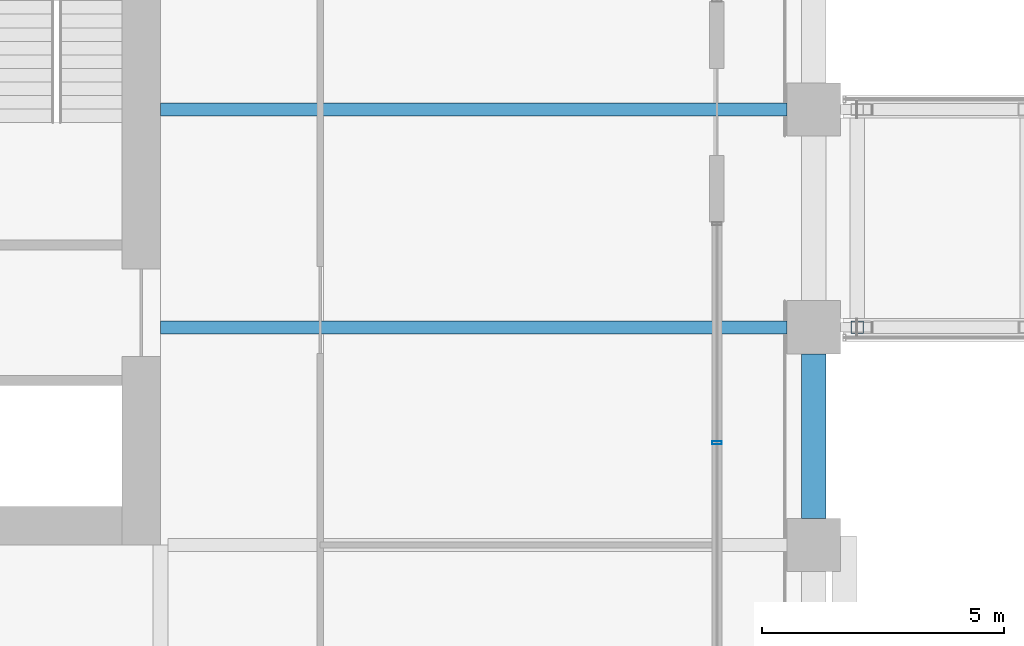
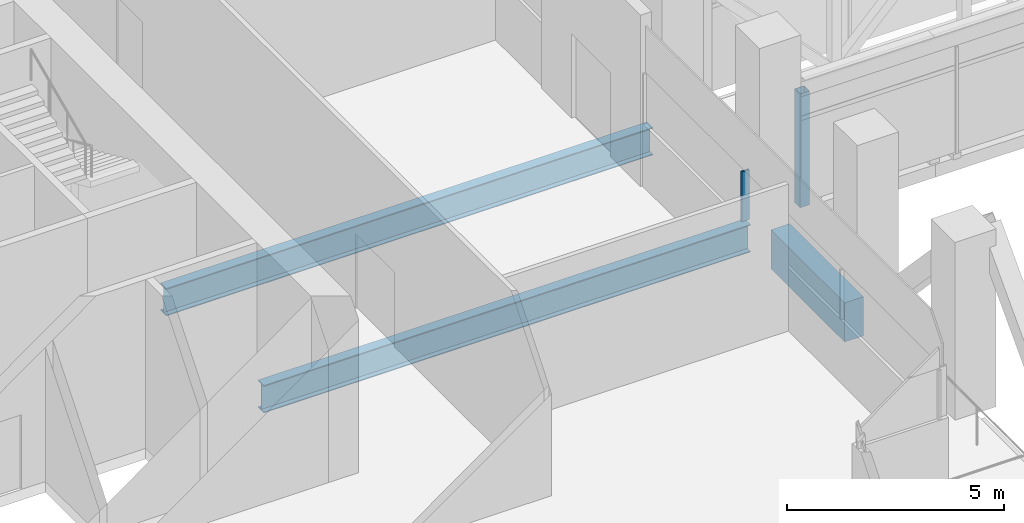
# One storey, part 12 of 44: 3 beams, 2 members, 1 element without a shape of its own.
"""IFC4 building model written with IfcOpenShell, lengths in metres."""

from ifc_helpers import new_model, si_unit, direction, frame, origin, origin_2d, place, context, subcontext, project, spatial, rectangle, hollow_rectangle, i_section, extrude, material, material_profile, profile_set, type_object, element, aggregate, save


model = new_model("IFC4")

# Units and contexts
model_context = context("Model", 3, precision=1e-05, world=origin(), true_north=direction((0.0, 1.0)))
body_context = subcontext(model_context, "Body", "Model", "MODEL_VIEW")
ifc_project = project(units=[si_unit("LENGTHUNIT", "METRE"), si_unit("AREAUNIT", "SQUARE_METRE"), si_unit("VOLUMEUNIT", "CUBIC_METRE"), si_unit("PLANEANGLEUNIT", "RADIAN"), si_unit("MASSUNIT", "GRAM", prefix="KILO")], contexts=[model_context])

# Site, building, storey
site_placement = place(None, origin())
site = spatial("IfcSite", under=ifc_project, at=site_placement, CompositionType="ELEMENT")
building_placement = place(site_placement, origin())
building = spatial("IfcBuilding", under=site, at=building_placement, Name="Altepetl Exchange Towers", CompositionType="ELEMENT")
storey_placement = place(building_placement, frame((0.0, 0.0, 87.0)))
storey = spatial("IfcBuildingStorey", under=building, at=storey_placement, Name="L21 Refuge", CompositionType="ELEMENT", Elevation=87.0)

# Member
ifc_material_1 = material(Name="Steel S355", Category="steel")
ifc_material_profile_1 = material_profile(ifc_material_1, hollow_rectangle(XDim=0.25390625, YDim=0.25390625, WallThickness=0.01171875, at=origin_2d()), Name="HSS254X254X12.7")
ifc_profile_set_1 = profile_set([ifc_material_profile_1], Name="Steel S355")
member_type_1 = type_object("IfcMemberType", Name="Bridge post HSS254X254X12.7", PredefinedType="POST", material=ifc_profile_set_1)
member_1_placement = place(storey_placement, frame((72.89990234375, 45.0, -0.199951171875)))
element("IfcMember", 1, at=member_1_placement, inside=storey, type_object=member_type_1, Name="tr:X:L21:ps-s0", PredefinedType="POST", context=body_context, shape_type="SweptSolid", body=[
    extrude(hollow_rectangle(XDim=0.25390625, YDim=0.25390625, WallThickness=0.01171875, at=origin_2d()), origin(), (0.0, 0.0, 1.0), 3.199951171875),
])

# Beams
ifc_material_profile_2 = material_profile(ifc_material_1, i_section(OverallWidth=0.26806640625, OverallDepth=0.77392578125, WebThickness=0.015380859375, FlangeThickness=0.025390625, at=origin_2d()), Name="W30X132")
ifc_profile_set_2 = profile_set([ifc_material_profile_2], Name="Steel S355")
beam_type_1 = type_object("IfcBeamType", Name="Floor beam W30X132", PredefinedType="BEAM", material=ifc_profile_set_2)
for number, where, z_axis, x_axis, name in (
    (2, (58.5, 45.0, -0.5869140625), (1.0, 0.0, 0.0), (0.0, 1.0, 0.0), "bm:A:L21:009"),
    (3, (58.5, 49.5, -0.5869140625), (1.0, 0.0, 0.0), (0.0, 1.0, 0.0), "bm:A:L21:010"),
):
    element("IfcBeam", number, at=place(storey_placement, frame(where, z_axis=z_axis, x_axis=x_axis)), inside=storey, type_object=beam_type_1, Name=name, PredefinedType="BEAM", context=body_context, shape_type="SweptSolid", body=[
        extrude(i_section(OverallWidth=0.26806640625, OverallDepth=0.77392578125, WebThickness=0.015380859375, FlangeThickness=0.025390625, at=origin_2d()), origin(), (0.0, 0.0, 1.0), 12.949951171875),
    ])

# Curtain wall, member
ifc_material_2 = material(Name="Aluminium 6063-T6 glazing", Category="aluminium")
curtain_wall_type = type_object("IfcCurtainWallType", Name="Refuge slit glazing system", PredefinedType="NOTDEFINED", material=ifc_material_2)
curtain_wall_placement = place(storey_placement, origin())
curtain_wall = element("IfcCurtainWall", 4, at=curtain_wall_placement, inside=storey, type_object=curtain_wall_type, Name="CW3 run", PredefinedType="NOTDEFINED")
ifc_material_3 = material(Name="Aluminium 6063-T6", Category="aluminium")
ifc_material_profile_3 = material_profile(ifc_material_3, hollow_rectangle(XDim=0.06005859375, YDim=0.199951171875, WallThickness=0.0029296875, at=origin_2d()), Name="Mullion 60x200 aluminium")
ifc_profile_set_3 = profile_set([ifc_material_profile_3], Name="Aluminium 6063-T6")
member_type_2 = type_object("IfcMemberType", Name="Mullion 60x200 aluminium", PredefinedType="MULLION", material=ifc_profile_set_3)
member_2_placement = place(storey_placement, frame((70.0, 42.6142578125, 1.800048828125), z_axis=(0.0, 0.0, 1.0), x_axis=(0.0, 1.0, 0.0)))
member_2 = element("IfcMember", 5, at=member_2_placement, type_object=member_type_2, Name="MU2 mullion", PredefinedType="MULLION", context=body_context, shape_type="SweptSolid", body=[
    extrude(hollow_rectangle(XDim=0.06005859375, YDim=0.199951171875, WallThickness=0.0029296875, at=origin_2d()), origin(), (0.0, 0.0, 1.0), 1.39990234375),
])
aggregate(curtain_wall, [member_2])

# Beam
ifc_material_4 = material(Name="Concrete C50/60 precast with cantera amarilla facing", Category="concrete")
ifc_material_profile_4 = material_profile(ifc_material_4, rectangle(XDim=0.5, YDim=1.10009765625, at=origin_2d()), Name="500 x 1100")
ifc_profile_set_4 = profile_set([ifc_material_profile_4], Name="Concrete C50/60 precast with cantera amarilla facing")
beam_type_2 = type_object("IfcBeamType", Name="Spandrel beam 500x1100 cantera amarilla", PredefinedType="SPANDREL", material=ifc_profile_set_4)
beam_placement = place(storey_placement, frame((72.0, 41.050048828125, -0.75), z_axis=(0.0, 1.0, 0.0), x_axis=(-1.0, 0.0, 0.0)))
element("IfcBeam", 6, at=beam_placement, inside=storey, type_object=beam_type_2, Name="sp:A:L21:014", PredefinedType="SPANDREL", context=body_context, shape_type="SweptSolid", body=[
    extrude(rectangle(XDim=0.5, YDim=1.10009765625, at=origin_2d()), origin(), (0.0, 0.0, 1.0), 3.39990234375),
])

save(model, "model.ifc")
